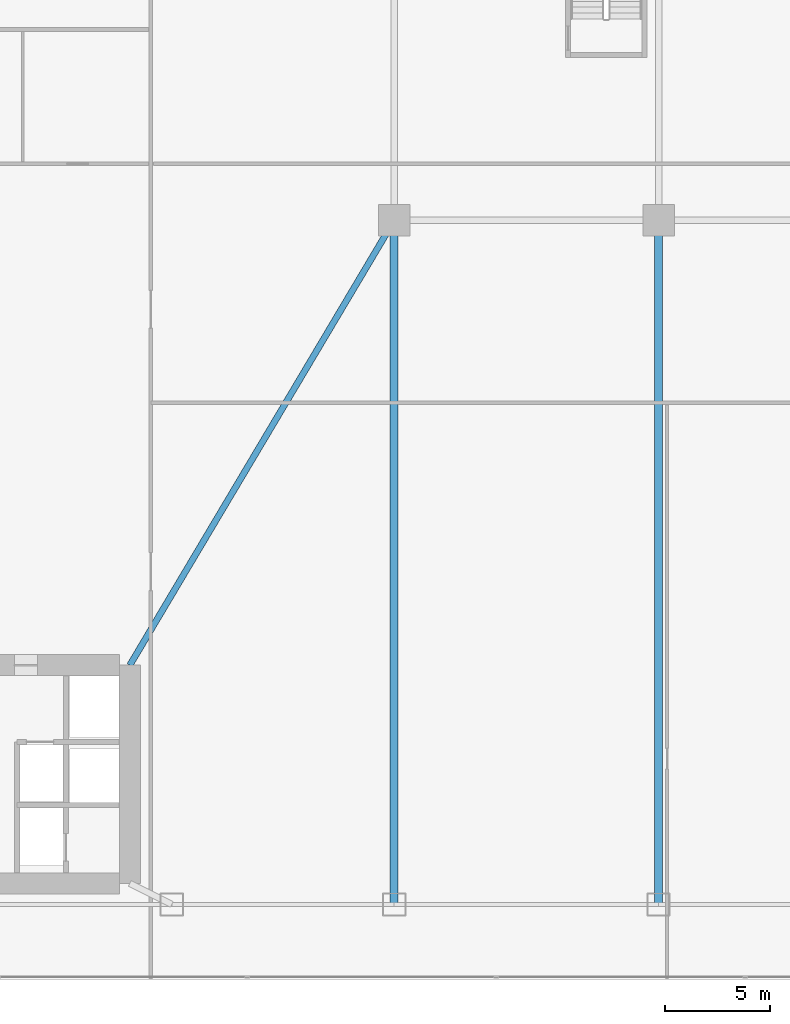
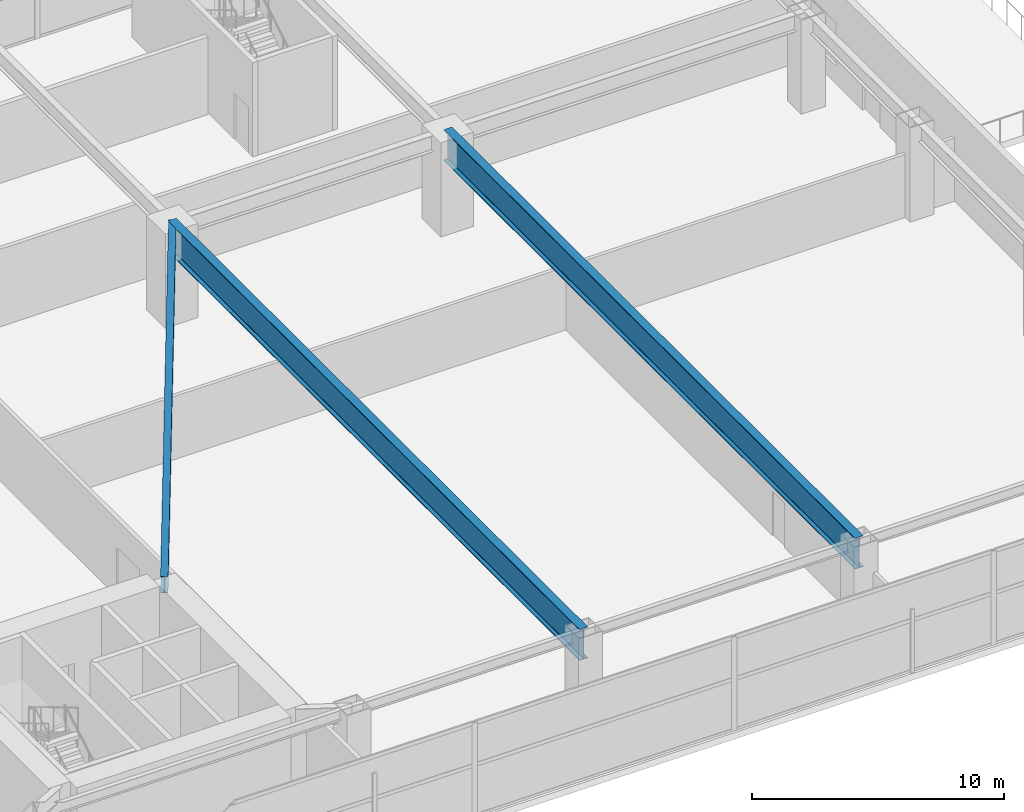
# One storey, part 13 of 30: 3 beams.
"""IFC4 building model written with IfcOpenShell, lengths in metres."""

from ifc_helpers import new_model, si_unit, direction, frame, origin, origin_2d, place, context, subcontext, project, spatial, i_section, extrude, material, material_profile, profile_set, type_object, element, save


model = new_model("IFC4")

# Units and contexts
model_context = context("Model", 3, precision=1e-05, world=origin(), true_north=direction((0.0, 1.0)))
body_context = subcontext(model_context, "Body", "Model", "MODEL_VIEW")
ifc_project = project(units=[si_unit("LENGTHUNIT", "METRE"), si_unit("AREAUNIT", "SQUARE_METRE"), si_unit("VOLUMEUNIT", "CUBIC_METRE"), si_unit("PLANEANGLEUNIT", "RADIAN"), si_unit("MASSUNIT", "GRAM", prefix="KILO")], contexts=[model_context])

# Site, building, storey
site_placement = place(None, origin())
site = spatial("IfcSite", under=ifc_project, at=site_placement, CompositionType="ELEMENT")
building_placement = place(site_placement, origin())
building = spatial("IfcBuilding", under=site, at=building_placement, Name="Calvorn Quay Hotel", CompositionType="ELEMENT")
storey_placement = place(building_placement, frame((0.0, 0.0, 17.0)))
storey = spatial("IfcBuildingStorey", under=building, at=storey_placement, Name="L03", CompositionType="ELEMENT", Elevation=17.0)

# Beams
ifc_material_1 = material(Name="Steel Q390GJC", Category="steel")
ifc_material_profile_1 = material_profile(ifc_material_1, i_section(OverallWidth=0.300048828125, OverallDepth=0.800048828125, WebThickness=0.013916015625, FlangeThickness=0.02587890625, FilletRadius=0.02392578125, at=origin_2d()), Name="HN800x300x14x26")
ifc_profile_set_1 = profile_set([ifc_material_profile_1], Name="Steel Q390GJC")
beam_type_1 = type_object("IfcBeamType", Name="BM-GIRD-POD", PredefinedType="BEAM", material=ifc_profile_set_1)
beam_placement = place(storey_placement, frame((32.39990234375, 15.0, 4.14990234375), z_axis=(0.510917247409, 0.859629900771, 0.0), x_axis=(-0.859629900771, 0.510917247409, 0.0)))
element("IfcBeam", 1, at=beam_placement, inside=storey, type_object=beam_type_1, Name="Beam BG-L03-PN1", PredefinedType="BEAM", context=body_context, shape_type="SweptSolid", body=[
    extrude(i_section(OverallWidth=0.300048828125, OverallDepth=0.800048828125, WebThickness=0.013916015625, FlangeThickness=0.02587890625, FilletRadius=0.02392578125, at=origin_2d()), origin(), (0.0, 0.0, 1.0), 24.66162109375),
])
ifc_material_2 = material(Name="Steel Q420GJC", Category="steel")
ifc_material_profile_2 = material_profile(ifc_material_2, i_section(OverallWidth=0.3798828125, OverallDepth=1.5, WebThickness=0.02197265625, FlangeThickness=0.0380859375, FilletRadius=0.02392578125, at=origin_2d()), Name="HN1500x380x22x38")
ifc_profile_set_2 = profile_set([ifc_material_profile_2], Name="Steel Q420GJC")
beam_type_2 = type_object("IfcBeamType", Name="BM-XFER-STEP2", PredefinedType="BEAM", material=ifc_profile_set_2)
for number, where, z_axis, x_axis, name in (
    (2, (45.0, 3.60009765625, 3.800048828125), (0.0, 1.0, 0.0), (-1.0, 0.0, 0.0), "Beam BG-L03-C-PN1"),
    (3, (57.60009765625, 3.60009765625, 3.800048828125), (0.0, 1.0, 0.0), (-1.0, 0.0, 0.0), "Beam BG-L03-C-PN2"),
):
    element("IfcBeam", number, at=place(storey_placement, frame(where, z_axis=z_axis, x_axis=x_axis)), inside=storey, type_object=beam_type_2, Name=name, PredefinedType="BEAM", context=body_context, shape_type="SweptSolid", body=[
        extrude(i_section(OverallWidth=0.3798828125, OverallDepth=1.5, WebThickness=0.02197265625, FlangeThickness=0.0380859375, FilletRadius=0.02392578125, at=origin_2d()), origin(), (0.0, 0.0, 1.0), 32.599853515625),
    ])

save(model, "model.ifc")
